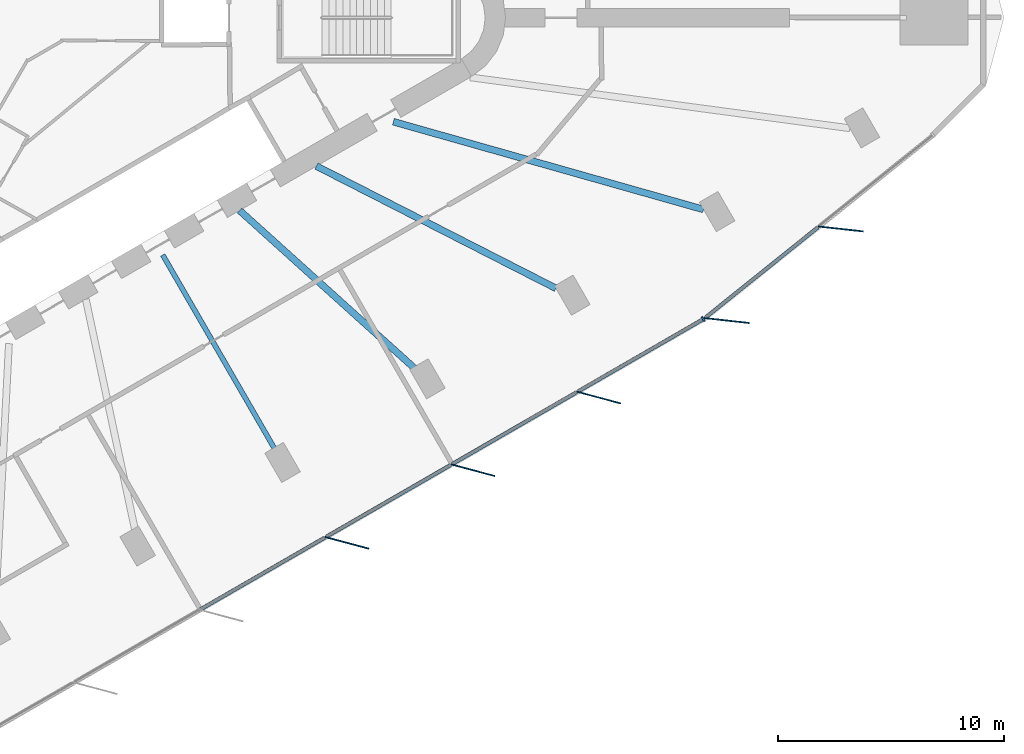
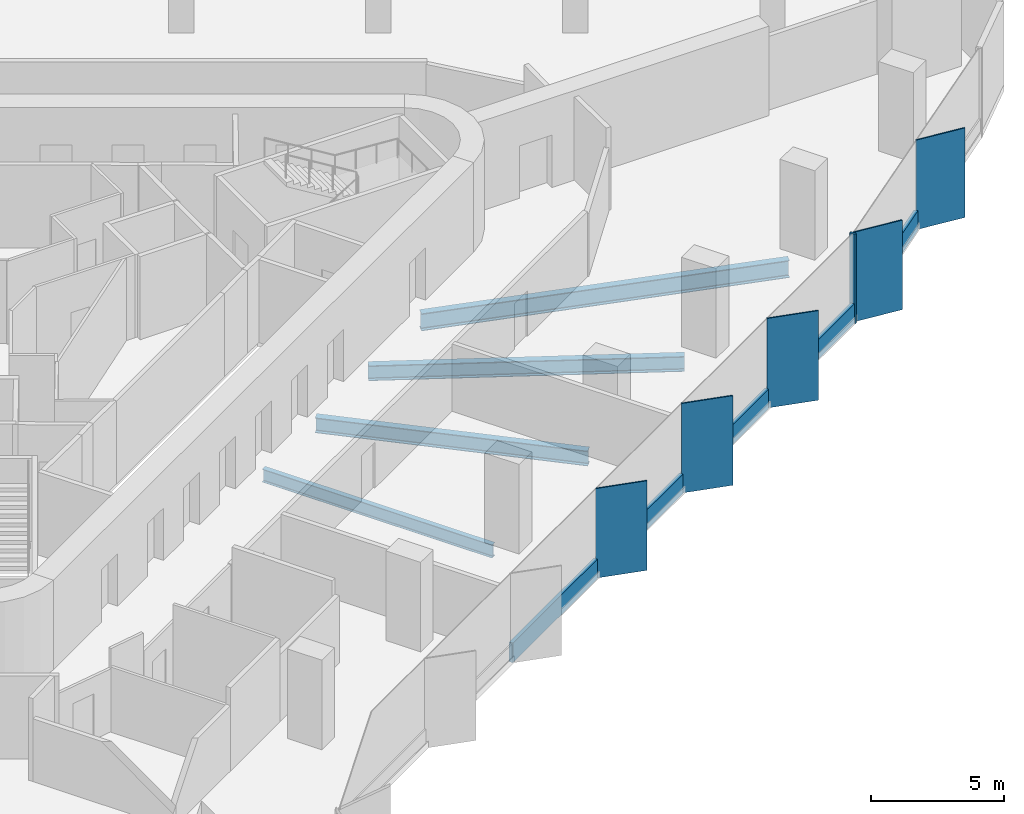
# One storey, part 3 of 15: 11 members, 4 beams, 2 elements without a shape of their own.
"""IFC4 building model written with IfcOpenShell, lengths in metres."""

from ifc_helpers import new_model, si_unit, direction, frame, origin, origin_2d, place, context, subcontext, project, spatial, rectangle, i_section, extrude, material, material_profile, profile_set, type_object, element, aggregate, save


model = new_model("IFC4")

# Units and contexts
model_context = context("Model", 3, precision=1e-05, world=origin(), true_north=direction((0.0, 1.0)))
body_context = subcontext(model_context, "Body", "Model", "MODEL_VIEW")
ifc_project = project(units=[si_unit("LENGTHUNIT", "METRE"), si_unit("AREAUNIT", "SQUARE_METRE"), si_unit("VOLUMEUNIT", "CUBIC_METRE"), si_unit("PLANEANGLEUNIT", "RADIAN"), si_unit("MASSUNIT", "GRAM", prefix="KILO")], contexts=[model_context])

# Site, building, storey
site_placement = place(None, origin())
site = spatial("IfcSite", under=ifc_project, at=site_placement, CompositionType="ELEMENT")
building_placement = place(site_placement, origin())
building = spatial("IfcBuilding", under=site, at=building_placement, Name="Tanit Gate Tower", CompositionType="ELEMENT")
storey_placement = place(building_placement, frame((0.0, 0.0, 131.60009765625)))
storey = spatial("IfcBuildingStorey", under=building, at=storey_placement, Name="L28", CompositionType="ELEMENT", Elevation=131.60009765625)

# Curtain wall, members
ifc_material_1 = material(Name="Aluminium bronze anodised and glass", Category="aluminium")
curtain_wall_type = type_object("IfcCurtainWallType", Name="Curtain wall typical low", PredefinedType="NOTDEFINED", material=ifc_material_1)
curtain_wall_1_placement = place(storey_placement, origin())
curtain_wall_1 = element("IfcCurtainWall", 1, at=curtain_wall_1_placement, inside=storey, type_object=curtain_wall_type, Name="Curtain wall L28 SE2", PredefinedType="NOTDEFINED")
ifc_material_2 = material(Name="Aluminium bronze anodised", Category="aluminium")
ifc_material_profile_1 = material_profile(ifc_material_2, rectangle(XDim=2.0, YDim=0.055908203125, at=origin_2d()), Name="56x2000 bronze fin mullion")
ifc_profile_set_1 = profile_set([ifc_material_profile_1], Name="Aluminium bronze anodised")
member_type_1 = type_object("IfcMemberType", Name="FIN MULLION 56x2000 bronze", PredefinedType="MULLION", material=ifc_profile_set_1)
member_1_placement = place(storey_placement, frame((14.1943359375, -23.203125, -0.300048828125), z_axis=(0.0, 0.0, 1.0), x_axis=(-0.965907877772, 0.258886020591, 0.0)))
member_1 = element("IfcMember", 2, at=member_1_placement, type_object=member_type_1, Name="Fin mullion L28 SE2.4", PredefinedType="MULLION", context=body_context, shape_type="SweptSolid", body=[
    extrude(rectangle(XDim=2.0, YDim=0.055908203125, at=origin_2d()), origin(), (0.0, 0.0, 1.0), 4.099853515625),
])
member_2_placement = place(storey_placement, frame((19.75634765625, -19.992431640625, -0.300048828125), z_axis=(0.0, 0.0, 1.0), x_axis=(-0.965907877772, 0.258886020591, 0.0)))
member_2 = element("IfcMember", 3, at=member_2_placement, type_object=member_type_1, Name="Fin mullion L28 SE2.5", PredefinedType="MULLION", context=body_context, shape_type="SweptSolid", body=[
    extrude(rectangle(XDim=2.0, YDim=0.055908203125, at=origin_2d()), origin(), (0.0, 0.0, 1.0), 4.099853515625),
])
member_3_placement = place(storey_placement, frame((25.318115234375, -16.78173828125, -0.300048828125), z_axis=(0.0, 0.0, 1.0), x_axis=(-0.965907877772, 0.258886020591, 0.0)))
member_3 = element("IfcMember", 4, at=member_3_placement, type_object=member_type_1, Name="Fin mullion L28 SE2.6", PredefinedType="MULLION", context=body_context, shape_type="SweptSolid", body=[
    extrude(rectangle(XDim=2.0, YDim=0.055908203125, at=origin_2d()), origin(), (0.0, 0.0, 1.0), 4.099853515625),
])

curtain_wall_2_placement = place(storey_placement, origin())
curtain_wall_2 = element("IfcCurtainWall", 5, at=curtain_wall_2_placement, inside=storey, type_object=curtain_wall_type, Name="Curtain wall L28 SE3", PredefinedType="NOTDEFINED")
member_4_placement = place(storey_placement, frame((30.9736328125, -13.37939453125, -0.300048828125), z_axis=(0.0, 0.0, 1.0), x_axis=(-0.994043583052, 0.108983278505, 0.0)))
member_4 = element("IfcMember", 6, at=member_4_placement, type_object=member_type_1, Name="Fin mullion L28 SE3.1", PredefinedType="MULLION", context=body_context, shape_type="SweptSolid", body=[
    extrude(rectangle(XDim=2.0, YDim=0.055908203125, at=origin_2d()), origin(), (0.0, 0.0, 1.0), 4.099853515625),
])
member_5_placement = place(storey_placement, frame((36.01708984375, -9.33251953125, -0.300048828125), z_axis=(0.0, 0.0, 1.0), x_axis=(-0.994043583052, 0.108983278505, 0.0)))
member_5 = element("IfcMember", 7, at=member_5_placement, type_object=member_type_1, Name="Fin mullion L28 SE3.2", PredefinedType="MULLION", context=body_context, shape_type="SweptSolid", body=[
    extrude(rectangle(XDim=2.0, YDim=0.055908203125, at=origin_2d()), origin(), (0.0, 0.0, 1.0), 4.099853515625),
])

# Member
ifc_material_3 = material(Name="Aluminium bronze anodised", Category="aluminium")
ifc_material_profile_2 = material_profile(ifc_material_3, rectangle(XDim=0.239990234375, YDim=0.080078125, at=origin_2d()), Name="80x240 bronze mullion")
ifc_profile_set_2 = profile_set([ifc_material_profile_2], Name="Aluminium bronze anodised")
member_type_2 = type_object("IfcMemberType", Name="Mullion 80x240 typical low", PredefinedType="MULLION", material=ifc_profile_set_2)
member_6_placement = place(storey_placement, frame((29.93603515625, -13.31787109375, -0.300048828125), z_axis=(0.0, 0.0, 1.0), x_axis=(-0.49993994966, 0.866060071089, 0.0)))
member_6 = element("IfcMember", 8, at=member_6_placement, type_object=member_type_2, Name="Mullion L28 SE2.7", PredefinedType="MULLION", context=body_context, shape_type="SweptSolid", body=[
    extrude(rectangle(XDim=0.239990234375, YDim=0.080078125, at=origin_2d()), origin(), (0.0, 0.0, 1.0), 4.099853515625),
])

# Beams
ifc_material_4 = material(Name="Steel S355", Category="steel")
ifc_material_profile_3 = material_profile(ifc_material_4, i_section(OverallWidth=0.300048828125, OverallDepth=0.68994140625, WebThickness=0.014404296875, FlangeThickness=0.027099609375, FilletRadius=0.027099609375, at=origin_2d()), Name="HEA 700")
ifc_profile_set_3 = profile_set([ifc_material_profile_3], Name="Steel S355")
beam_type_1 = type_object("IfcBeamType", Name="RADIAL GIRDER HEA 700 S355", PredefinedType="BEAM", material=ifc_profile_set_3)
beam_1_placement = place(storey_placement, frame((17.2158203125, -15.52197265625, -0.64501953125), z_axis=(-0.742697199344, 0.669627411391, 0.0), x_axis=(-0.669627411391, -0.742697199344, 0.0)))
element("IfcBeam", 9, at=beam_1_placement, inside=storey, type_object=beam_type_1, Name="RADIAL GIRDER", PredefinedType="BEAM", context=body_context, shape_type="SweptSolid", body=[
    extrude(i_section(OverallWidth=0.300048828125, OverallDepth=0.68994140625, WebThickness=0.014404296875, FlangeThickness=0.027099609375, FilletRadius=0.027099609375, at=origin_2d()), origin(), (0.0, 0.0, 1.0), 10.4580078125),
])
beam_2_placement = place(storey_placement, frame((23.4248046875, -11.95703125, -0.64501953125), z_axis=(-0.890679829273, 0.454631105101, 0.0), x_axis=(-0.454631105101, -0.890679829273, 0.0)))
element("IfcBeam", 10, at=beam_2_placement, inside=storey, type_object=beam_type_1, Name="RADIAL GIRDER", PredefinedType="BEAM", context=body_context, shape_type="SweptSolid", body=[
    extrude(i_section(OverallWidth=0.300048828125, OverallDepth=0.68994140625, WebThickness=0.014404296875, FlangeThickness=0.027099609375, FilletRadius=0.027099609375, at=origin_2d()), origin(), (0.0, 0.0, 1.0), 11.876953125),
])
ifc_material_5 = material(Name="Steel S355", Category="steel")
ifc_material_profile_4 = material_profile(ifc_material_5, i_section(OverallWidth=0.300048828125, OverallDepth=0.7900390625, WebThickness=0.014892578125, FlangeThickness=0.028076171875, FilletRadius=0.030029296875, at=origin_2d()), Name="HEA 800")
ifc_profile_set_4 = profile_set([ifc_material_profile_4], Name="Steel S355")
beam_type_2 = type_object("IfcBeamType", Name="RADIAL GIRDER HEA 800 S355", PredefinedType="BEAM", material=ifc_profile_set_4)
beam_3_placement = place(storey_placement, frame((29.947998046875, -8.472900390625, -0.695068359375), z_axis=(-0.962230365489, 0.272236521669, 0.0), x_axis=(-0.272236521669, -0.962230365489, 0.0)))
element("IfcBeam", 11, at=beam_3_placement, inside=storey, type_object=beam_type_2, Name="RADIAL GIRDER", PredefinedType="BEAM", context=body_context, shape_type="SweptSolid", body=[
    extrude(i_section(OverallWidth=0.300048828125, OverallDepth=0.7900390625, WebThickness=0.014892578125, FlangeThickness=0.028076171875, FilletRadius=0.030029296875, at=origin_2d()), origin(), (0.0, 0.0, 1.0), 14.241943359375),
])
ifc_material_6 = material(Name="Steel S355", Category="steel")
ifc_material_profile_5 = material_profile(ifc_material_6, i_section(OverallWidth=0.219970703125, OverallDepth=0.60009765625, WebThickness=0.011962890625, FlangeThickness=0.01904296875, FilletRadius=0.02392578125, at=origin_2d()), Name="IPE 600")
ifc_profile_set_5 = profile_set([ifc_material_profile_5], Name="Steel S355")
beam_type_3 = type_object("IfcBeamType", Name="RADIAL GIRDER IPE 600 S355", PredefinedType="BEAM", material=ifc_profile_set_5)
beam_4_placement = place(storey_placement, frame((11.025146484375, -19.095947265625, -0.60009765625), z_axis=(-0.500008534912, 0.866020476095, 0.0), x_axis=(-0.866020476095, -0.500008534912, 0.0)))
element("IfcBeam", 12, at=beam_4_placement, inside=storey, type_object=beam_type_3, Name="RADIAL GIRDER", PredefinedType="BEAM", context=body_context, shape_type="SweptSolid", body=[
    extrude(i_section(OverallWidth=0.219970703125, OverallDepth=0.60009765625, WebThickness=0.011962890625, FlangeThickness=0.01904296875, FilletRadius=0.02392578125, at=origin_2d()), origin(), (0.0, 0.0, 1.0), 9.947998046875),
])

# Member
ifc_material_7 = material(Name="Aluminium bronze anodised", Category="aluminium")
ifc_material_profile_6 = material_profile(ifc_material_7, rectangle(XDim=0.159912109375, YDim=0.89990234375, at=origin_2d()), Name="160x900 bronze transom")
ifc_profile_set_6 = profile_set([ifc_material_profile_6], Name="Aluminium bronze anodised")
member_type_3 = type_object("IfcMemberType", Name="Transom 160x900 typical low", PredefinedType="USERDEFINED", material=ifc_profile_set_6)
member_7_placement = place(storey_placement, frame((7.722900390625, -26.140625, 0.14990234375), z_axis=(0.866062512225, 0.499935720787, 0.0), x_axis=(-0.499935720787, 0.866062512225, 0.0)))
member_7 = element("IfcMember", 13, at=member_7_placement, type_object=member_type_3, Name="Transom L28 SE2.3", ObjectType="TRANSOM", PredefinedType="USERDEFINED", context=body_context, shape_type="SweptSolid", body=[
    extrude(rectangle(XDim=0.159912109375, YDim=0.89990234375, at=origin_2d()), origin(), (0.0, 0.0, 1.0), 6.342041015625),
])

member_8_placement = place(storey_placement, frame((13.284912109375, -22.929931640625, 0.14990234375), z_axis=(0.866062512225, 0.499935720787, 0.0), x_axis=(-0.499935720787, 0.866062512225, 0.0)))
member_8 = element("IfcMember", 14, at=member_8_placement, type_object=member_type_3, Name="Transom L28 SE2.4", ObjectType="TRANSOM", PredefinedType="USERDEFINED", context=body_context, shape_type="SweptSolid", body=[
    extrude(rectangle(XDim=0.159912109375, YDim=0.89990234375, at=origin_2d()), origin(), (0.0, 0.0, 1.0), 6.342041015625),
])

member_9_placement = place(storey_placement, frame((18.8466796875, -19.71923828125, 0.14990234375), z_axis=(0.866072133042, 0.499919053816, 0.0), x_axis=(-0.499919053816, 0.866072133042, 0.0)))
member_9 = element("IfcMember", 15, at=member_9_placement, type_object=member_type_3, Name="Transom L28 SE2.5", ObjectType="TRANSOM", PredefinedType="USERDEFINED", context=body_context, shape_type="SweptSolid", body=[
    extrude(rectangle(XDim=0.159912109375, YDim=0.89990234375, at=origin_2d()), origin(), (0.0, 0.0, 1.0), 6.34228515625),
])

member_10_placement = place(storey_placement, frame((24.40869140625, -16.508544921875, 0.14990234375), z_axis=(0.866072133042, 0.499919053816, 0.0), x_axis=(-0.499919053816, 0.866072133042, 0.0)))
member_10 = element("IfcMember", 16, at=member_10_placement, type_object=member_type_3, Name="Transom L28 SE2.6", ObjectType="TRANSOM", PredefinedType="USERDEFINED", context=body_context, shape_type="SweptSolid", body=[
    extrude(rectangle(XDim=0.159912109375, YDim=0.89990234375, at=origin_2d()), origin(), (0.0, 0.0, 1.0), 6.34228515625),
])

aggregate(curtain_wall_1, [member_1, member_2, member_3, member_6, member_7, member_8, member_9, member_10])

member_11_placement = place(storey_placement, frame((30.033203125, -13.247802734375, 0.14990234375), z_axis=(0.779961709235, 0.625827238244, 0.0), x_axis=(-0.625827238244, 0.779961709235, 0.0)))
member_11 = element("IfcMember", 17, at=member_11_placement, type_object=member_type_3, Name="Transom L28 SE3.1", ObjectType="TRANSOM", PredefinedType="USERDEFINED", context=body_context, shape_type="SweptSolid", body=[
    extrude(rectangle(XDim=0.159912109375, YDim=0.89990234375, at=origin_2d()), origin(), (0.0, 0.0, 1.0), 6.386474609375),
])

aggregate(curtain_wall_2, [member_4, member_5, member_11])

save(model, "model.ifc")
